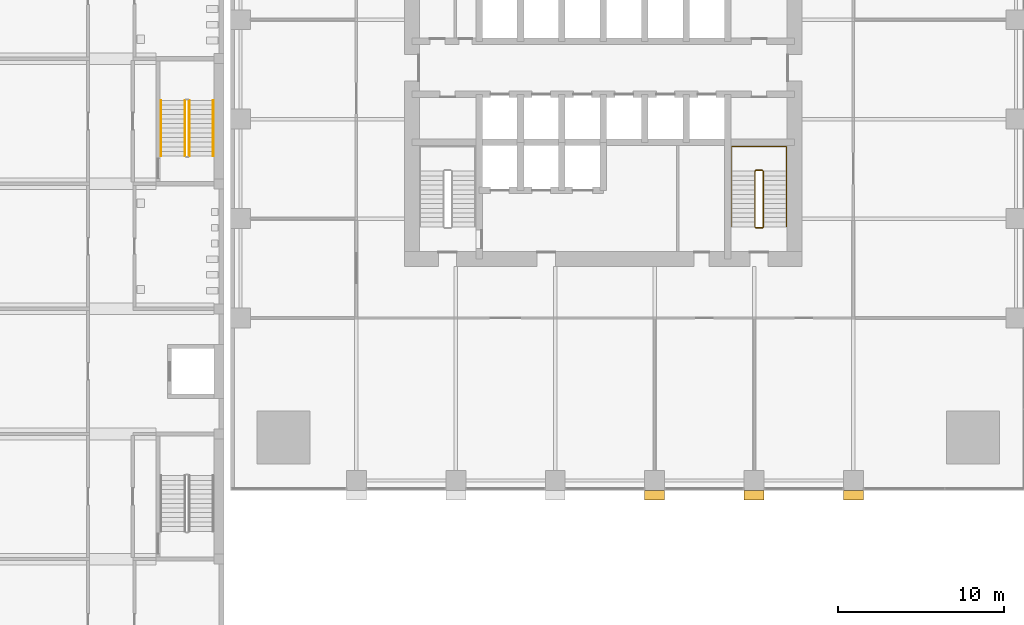
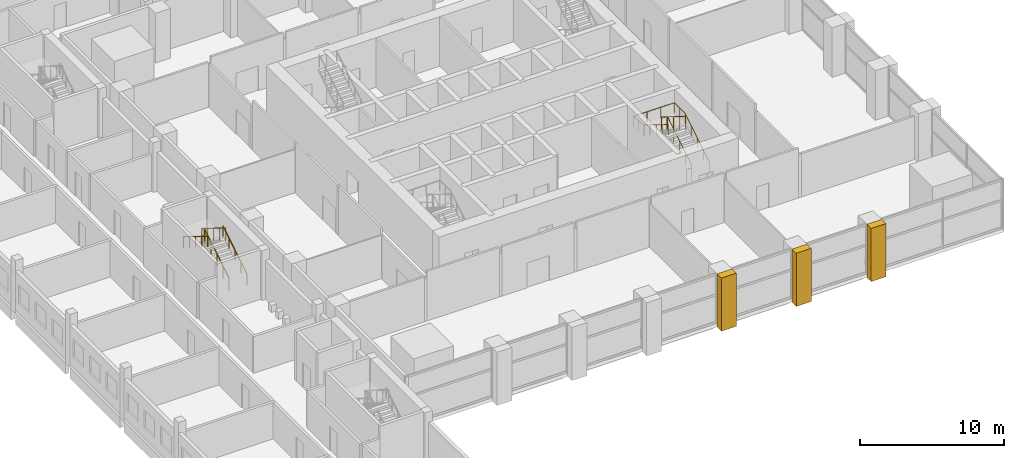
# One storey, part 21 of 25: 6 railings, 3 coverings.
"""IFC4 building model written with IfcOpenShell, lengths in metres."""

from ifc_helpers import new_model, si_unit, direction, frame, origin, origin_2d, place, context, subcontext, project, spatial, polyline, circle, outline, extrude, material, layer, layer_set, type_object, element, save


model = new_model("IFC4")

# Units and contexts
model_context = context("Model", 3, precision=1e-05, world=origin(), true_north=direction((0.0, 1.0)))
body_context = subcontext(model_context, "Body", "Model", "MODEL_VIEW")
ifc_project = project(units=[si_unit("LENGTHUNIT", "METRE"), si_unit("AREAUNIT", "SQUARE_METRE"), si_unit("VOLUMEUNIT", "CUBIC_METRE"), si_unit("PLANEANGLEUNIT", "RADIAN"), si_unit("MASSUNIT", "GRAM", prefix="KILO")], contexts=[model_context])

# Site, building, storey
site_placement = place(None, origin())
site = spatial("IfcSite", under=ifc_project, at=site_placement, CompositionType="ELEMENT")
building_placement = place(site_placement, origin())
building = spatial("IfcBuilding", under=site, at=building_placement, Name="Amberfall Residences", CompositionType="ELEMENT")
storey_placement = place(building_placement, frame((0.0, 0.0, 14.5)))
storey = spatial("IfcBuildingStorey", under=building, at=storey_placement, Name="L03", CompositionType="ELEMENT", Elevation=14.5)

# Coverings
ifc_material_1 = material(Name="Pale stone cladding on insulated backing", Category="masonry")
ifc_layer = layer(ifc_material_1, 1.199951171875)
ifc_layer_set = layer_set([ifc_layer], Name="Podium stone pier 1200 x 600")
covering_type = type_object("IfcCoveringType", Name="Podium stone pier 1200 x 600", PredefinedType="CLADDING", material=ifc_layer_set)
covering_1_placement = place(storey_placement, frame((0.0, 0.0, -0.300048828125)))
element("IfcCovering", 1, at=covering_1_placement, inside=storey, type_object=covering_type, Name="Podium pier L03 S4", PredefinedType="CLADDING", context=body_context, shape_type="SweptSolid", body=[
    extrude(outline(polyline([(77.0, 20.0), (78.199951171875, 20.0), (78.199951171875, 19.39990234375), (77.0, 19.39990234375), (77.0, 20.0)])), origin(), (0.0, 0.0, 1.0), 4.5),
])
covering_2_placement = place(storey_placement, frame((0.0, 0.0, -0.300048828125)))
element("IfcCovering", 2, at=covering_2_placement, inside=storey, type_object=covering_type, Name="Podium pier L03 S5", PredefinedType="CLADDING", context=body_context, shape_type="SweptSolid", body=[
    extrude(outline(polyline([(83.0, 20.0), (84.199951171875, 20.0), (84.199951171875, 19.39990234375), (83.0, 19.39990234375), (83.0, 20.0)])), origin(), (0.0, 0.0, 1.0), 4.5),
])
covering_3_placement = place(storey_placement, frame((0.0, 0.0, -0.300048828125)))
element("IfcCovering", 3, at=covering_3_placement, inside=storey, type_object=covering_type, Name="Podium pier L03 S6", PredefinedType="CLADDING", context=body_context, shape_type="SweptSolid", body=[
    extrude(outline(polyline([(89.0, 20.0), (90.199951171875, 20.0), (90.199951171875, 19.39990234375), (89.0, 19.39990234375), (89.0, 20.0)])), origin(), (0.0, 0.0, 1.0), 4.5),
])

# Railings
ifc_material_2 = material(Name="Stainless steel", Category="steel")
railing_type_1 = type_object("IfcRailingType", Name="School stair guard 1100", PredefinedType="GUARDRAIL", material=ifc_material_2)
railing_1_placement = place(storey_placement, frame((49.5, 40.175048828125, 0.173095703125)))
element("IfcRailing", 4, at=railing_1_placement, inside=storey, type_object=railing_type_1, Name="L03 SS2 stair guard 1", PredefinedType="GUARDRAIL", context=body_context, shape_type="SweptSolid", body=[
    extrude(circle(Radius=0.02392578125, at=origin_2d()), frame((0.0, 0.0, 1.076171875), z_axis=(0.0, 0.850606129759, 0.525803396734), x_axis=(-1.0, 0.0, 0.0)), (0.0, 0.0, 1.0), 3.949951171875),
    extrude(circle(Radius=0.02099609375, at=origin_2d()), origin(), (0.0, 0.0, 1.0), 1.052001953125),
    extrude(circle(Radius=0.02099609375, at=origin_2d()), frame((0.0, 0.83984375, 0.519287109375)), (0.0, 0.0, 1.0), 1.052001953125),
    extrude(circle(Radius=0.02099609375, at=origin_2d()), frame((0.0, 1.679931640625, 1.03857421875)), (0.0, 0.0, 1.0), 1.052001953125),
    extrude(circle(Radius=0.02099609375, at=origin_2d()), frame((0.0, 2.52001953125, 1.5576171875)), (0.0, 0.0, 1.0), 1.052001953125),
    extrude(circle(Radius=0.02099609375, at=origin_2d()), frame((0.0, 3.35986328125, 2.076904296875)), (0.0, 0.0, 1.0), 1.052001953125),
])
railing_2_placement = place(storey_placement, frame((49.25, 43.534912109375, 2.423095703125)))
element("IfcRailing", 5, at=railing_2_placement, inside=storey, type_object=railing_type_1, Name="L03 SS2 stair guard 3", PredefinedType="GUARDRAIL", context=body_context, shape_type="SweptSolid", body=[
    extrude(circle(Radius=0.02392578125, at=origin_2d()), frame((0.0, 0.0, 1.076171875), z_axis=(0.0, -0.850606129759, 0.525803396734), x_axis=(1.0, 0.0, 0.0)), (0.0, 0.0, 1.0), 3.949951171875),
    extrude(circle(Radius=0.02099609375, at=origin_2d()), origin(), (0.0, 0.0, 1.0), 1.052001953125),
    extrude(circle(Radius=0.02099609375, at=origin_2d()), frame((0.0, -0.83984375, 0.519287109375)), (0.0, 0.0, 1.0), 1.052001953125),
    extrude(circle(Radius=0.02099609375, at=origin_2d()), frame((0.0, -1.679931640625, 1.03857421875)), (0.0, 0.0, 1.0), 1.052001953125),
    extrude(circle(Radius=0.02099609375, at=origin_2d()), frame((0.0, -2.52001953125, 1.5576171875)), (0.0, 0.0, 1.0), 1.052001953125),
    extrude(circle(Radius=0.02099609375, at=origin_2d()), frame((0.0, -3.35986328125, 2.076904296875)), (0.0, 0.0, 1.0), 1.052001953125),
])
railing_type_2 = type_object("IfcRailingType", Name="School stair handrail", PredefinedType="HANDRAIL", material=ifc_material_2)
railing_3_placement = place(storey_placement, frame((50.949951171875, 40.175048828125, 0.173095703125)))
element("IfcRailing", 6, at=railing_3_placement, inside=storey, type_object=railing_type_2, Name="L03 SS2 stair handrail 1", PredefinedType="HANDRAIL", context=body_context, shape_type="SweptSolid", body=[
    extrude(circle(Radius=0.02392578125, at=origin_2d()), frame((0.0, 0.0, 0.8759765625), z_axis=(0.0, 0.850606129759, 0.525803396734), x_axis=(-1.0, 0.0, 0.0)), (0.0, 0.0, 1.0), 3.949951171875),
    extrude(circle(Radius=0.02099609375, at=origin_2d()), origin(), (0.0, 0.0, 1.0), 0.851806640625),
    extrude(circle(Radius=0.02099609375, at=origin_2d()), frame((0.0, 0.83984375, 0.519287109375)), (0.0, 0.0, 1.0), 0.851806640625),
    extrude(circle(Radius=0.02099609375, at=origin_2d()), frame((0.0, 1.679931640625, 1.03857421875)), (0.0, 0.0, 1.0), 0.851806640625),
    extrude(circle(Radius=0.02099609375, at=origin_2d()), frame((0.0, 2.52001953125, 1.5576171875)), (0.0, 0.0, 1.0), 0.851806640625),
    extrude(circle(Radius=0.02099609375, at=origin_2d()), frame((0.0, 3.35986328125, 2.076904296875)), (0.0, 0.0, 1.0), 0.851806640625),
])
railing_4_placement = place(storey_placement, frame((47.800048828125, 43.534912109375, 2.423095703125)))
element("IfcRailing", 7, at=railing_4_placement, inside=storey, type_object=railing_type_2, Name="L03 SS2 stair handrail 2", PredefinedType="HANDRAIL", context=body_context, shape_type="SweptSolid", body=[
    extrude(circle(Radius=0.02392578125, at=origin_2d()), frame((0.0, 0.0, 0.8759765625), z_axis=(0.0, -0.850606129759, 0.525803396734), x_axis=(1.0, 0.0, 0.0)), (0.0, 0.0, 1.0), 3.949951171875),
    extrude(circle(Radius=0.02099609375, at=origin_2d()), origin(), (0.0, 0.0, 1.0), 0.851806640625),
    extrude(circle(Radius=0.02099609375, at=origin_2d()), frame((0.0, -0.83984375, 0.519287109375)), (0.0, 0.0, 1.0), 0.851806640625),
    extrude(circle(Radius=0.02099609375, at=origin_2d()), frame((0.0, -1.679931640625, 1.03857421875)), (0.0, 0.0, 1.0), 0.851806640625),
    extrude(circle(Radius=0.02099609375, at=origin_2d()), frame((0.0, -2.52001953125, 1.5576171875)), (0.0, 0.0, 1.0), 0.851806640625),
    extrude(circle(Radius=0.02099609375, at=origin_2d()), frame((0.0, -3.35986328125, 2.076904296875)), (0.0, 0.0, 1.0), 0.851806640625),
])
ifc_material_3 = material(Name="Stainless steel 316", Category="steel")
railing_type_3 = type_object("IfcRailingType", Name="Stair guard 1100", PredefinedType="GUARDRAIL", material=ifc_material_3)
railing_5_placement = place(storey_placement, frame((83.699951171875, 35.85009765625, 0.0)))
element("IfcRailing", 8, at=railing_5_placement, inside=storey, type_object=railing_type_3, Name="L03 stair 2 guard", PredefinedType="GUARDRAIL", context=body_context, shape_type="SweptSolid", body=[
    extrude(circle(Radius=0.02392578125, at=origin_2d()), frame((0.0, 0.0, 1.076171875), z_axis=(1.0, 0.0, 0.0), x_axis=(0.0, 1.0, 0.0)), (0.0, 0.0, 1.0), 0.400146484375),
    extrude(circle(Radius=0.02392578125, at=origin_2d()), frame((0.400146484375, 0.0, 1.076171875), z_axis=(0.26651005591, 0.26651005591, 0.926253086471), x_axis=(-0.707106781187, 0.707106781187, 0.0)), (0.0, 0.0, 1.0), 0.186767578125),
    extrude(circle(Radius=0.02392578125, at=origin_2d()), frame((0.449951171875, 0.0498046875, 1.2490234375), z_axis=(0.0, 0.850623216509, 0.525775754039), x_axis=(-1.0, 0.0, 0.0)), (0.0, 0.0, 1.0), 3.9501953125),
    extrude(circle(Radius=0.02392578125, at=origin_2d()), frame((0.449951171875, 3.409912109375, 3.326171875), z_axis=(-0.705375805398, 0.708833529934, 0.0), x_axis=(-0.708833529934, -0.705375805398, 0.0)), (0.0, 0.0, 1.0), 0.070556640625),
    extrude(circle(Radius=0.02392578125, at=origin_2d()), frame((0.400146484375, 3.4599609375, 3.326171875), z_axis=(-1.0, 0.0, 0.0), x_axis=(0.0, -1.0, 0.0)), (0.0, 0.0, 1.0), 0.400146484375),
    extrude(circle(Radius=0.02392578125, at=origin_2d()), frame((0.0, 3.4599609375, 3.326171875), z_axis=(-0.267629722418, -0.267629722418, 0.925607186314), x_axis=(0.707106781187, -0.707106781187, 0.0)), (0.0, 0.0, 1.0), 0.18701171875),
    extrude(circle(Radius=0.02392578125, at=origin_2d()), frame((-0.050048828125, 3.409912109375, 3.4990234375), z_axis=(0.0, -0.850623216509, 0.525775754039), x_axis=(1.0, 0.0, 0.0)), (0.0, 0.0, 1.0), 3.9501953125),
    extrude(circle(Radius=0.02099609375, at=origin_2d()), origin(), (0.0, 0.0, 1.0), 1.052001953125),
    extrude(circle(Radius=0.02099609375, at=origin_2d()), frame((0.400146484375, 0.0, 0.0)), (0.0, 0.0, 1.0), 1.052001953125),
    extrude(circle(Radius=0.02099609375, at=origin_2d()), frame((0.449951171875, 0.0498046875, 0.173095703125)), (0.0, 0.0, 1.0), 1.052001953125),
    extrude(circle(Radius=0.02099609375, at=origin_2d()), frame((0.449951171875, 0.889892578125, 0.6923828125)), (0.0, 0.0, 1.0), 1.052001953125),
    extrude(circle(Radius=0.02099609375, at=origin_2d()), frame((0.449951171875, 1.72998046875, 1.21142578125)), (0.0, 0.0, 1.0), 1.052001953125),
    extrude(circle(Radius=0.02099609375, at=origin_2d()), frame((0.449951171875, 2.56982421875, 1.730712890625)), (0.0, 0.0, 1.0), 1.052001953125),
    extrude(circle(Radius=0.02099609375, at=origin_2d()), frame((0.449951171875, 3.409912109375, 2.25)), (0.0, 0.0, 1.0), 1.052001953125),
    extrude(circle(Radius=0.02099609375, at=origin_2d()), frame((0.400146484375, 3.4599609375, 2.25)), (0.0, 0.0, 1.0), 1.052001953125),
    extrude(circle(Radius=0.02099609375, at=origin_2d()), frame((0.0, 3.4599609375, 2.25)), (0.0, 0.0, 1.0), 1.052001953125),
    extrude(circle(Radius=0.02099609375, at=origin_2d()), frame((-0.050048828125, 3.409912109375, 2.423095703125)), (0.0, 0.0, 1.0), 1.052001953125),
    extrude(circle(Radius=0.02099609375, at=origin_2d()), frame((-0.050048828125, 2.56982421875, 2.9423828125)), (0.0, 0.0, 1.0), 1.052001953125),
    extrude(circle(Radius=0.02099609375, at=origin_2d()), frame((-0.050048828125, 1.72998046875, 3.46142578125)), (0.0, 0.0, 1.0), 1.052001953125),
    extrude(circle(Radius=0.02099609375, at=origin_2d()), frame((-0.050048828125, 0.889892578125, 3.980712890625)), (0.0, 0.0, 1.0), 1.052001953125),
    extrude(circle(Radius=0.02099609375, at=origin_2d()), frame((-0.050048828125, 0.0498046875, 4.5)), (0.0, 0.0, 1.0), 1.052001953125),
])
railing_type_4 = type_object("IfcRailingType", Name="Stair handrail 900", PredefinedType="HANDRAIL", material=ifc_material_3)
railing_6_placement = place(storey_placement, frame((85.550048828125, 35.89990234375, 0.173095703125)))
element("IfcRailing", 9, at=railing_6_placement, inside=storey, type_object=railing_type_4, Name="L03 stair 2 handrail", PredefinedType="HANDRAIL", context=body_context, shape_type="SweptSolid", body=[
    extrude(circle(Radius=0.02392578125, at=origin_2d()), frame((0.0, 0.0, 0.8759765625), z_axis=(0.0, 0.850623216509, 0.525775754039), x_axis=(-1.0, 0.0, 0.0)), (0.0, 0.0, 1.0), 3.9501953125),
    extrude(circle(Radius=0.02392578125, at=origin_2d()), frame((0.0, 3.360107421875, 2.95263671875), z_axis=(0.0, 1.0, 0.0), x_axis=(-1.0, 0.0, 0.0)), (0.0, 0.0, 1.0), 1.489990234375),
    extrude(circle(Radius=0.02392578125, at=origin_2d()), frame((0.0, 4.85009765625, 2.95263671875), z_axis=(-1.0, 0.0, 0.0), x_axis=(0.0, -1.0, 0.0)), (0.0, 0.0, 1.0), 3.300048828125),
    extrude(circle(Radius=0.02392578125, at=origin_2d()), frame((-3.300048828125, 4.85009765625, 2.95263671875), z_axis=(0.0, -0.993319533971, 0.115396288642), x_axis=(1.0, 0.0, 0.0)), (0.0, 0.0, 1.0), 1.5),
    extrude(circle(Radius=0.02392578125, at=origin_2d()), frame((-3.300048828125, 3.360107421875, 3.1259765625), z_axis=(0.0, -0.850623216509, 0.525775754039), x_axis=(1.0, 0.0, 0.0)), (0.0, 0.0, 1.0), 3.9501953125),
    extrude(circle(Radius=0.02099609375, at=origin_2d()), origin(), (0.0, 0.0, 1.0), 0.851806640625),
    extrude(circle(Radius=0.02099609375, at=origin_2d()), frame((0.0, 0.840087890625, 0.519287109375)), (0.0, 0.0, 1.0), 0.851806640625),
    extrude(circle(Radius=0.02099609375, at=origin_2d()), frame((0.0, 1.68017578125, 1.03857421875)), (0.0, 0.0, 1.0), 0.851806640625),
    extrude(circle(Radius=0.02099609375, at=origin_2d()), frame((0.0, 2.52001953125, 1.5576171875)), (0.0, 0.0, 1.0), 0.851806640625),
    extrude(circle(Radius=0.02099609375, at=origin_2d()), frame((0.0, 3.360107421875, 2.076904296875)), (0.0, 0.0, 1.0), 0.851806640625),
    extrude(circle(Radius=0.02099609375, at=origin_2d()), frame((0.0, 4.10498046875, 2.076904296875)), (0.0, 0.0, 1.0), 0.851806640625),
    extrude(circle(Radius=0.02099609375, at=origin_2d()), frame((0.0, 4.85009765625, 2.076904296875)), (0.0, 0.0, 1.0), 0.851806640625),
    extrude(circle(Radius=0.02099609375, at=origin_2d()), frame((-1.10009765625, 4.85009765625, 2.076904296875)), (0.0, 0.0, 1.0), 0.851806640625),
    extrude(circle(Radius=0.02099609375, at=origin_2d()), frame((-2.199951171875, 4.85009765625, 2.076904296875)), (0.0, 0.0, 1.0), 0.851806640625),
    extrude(circle(Radius=0.02099609375, at=origin_2d()), frame((-3.300048828125, 4.85009765625, 2.076904296875)), (0.0, 0.0, 1.0), 0.851806640625),
    extrude(circle(Radius=0.02099609375, at=origin_2d()), frame((-3.300048828125, 4.10498046875, 2.16357421875)), (0.0, 0.0, 1.0), 0.851806640625),
    extrude(circle(Radius=0.02099609375, at=origin_2d()), frame((-3.300048828125, 3.360107421875, 2.25)), (0.0, 0.0, 1.0), 0.851806640625),
    extrude(circle(Radius=0.02099609375, at=origin_2d()), frame((-3.300048828125, 2.52001953125, 2.769287109375)), (0.0, 0.0, 1.0), 0.851806640625),
    extrude(circle(Radius=0.02099609375, at=origin_2d()), frame((-3.300048828125, 1.68017578125, 3.28857421875)), (0.0, 0.0, 1.0), 0.851806640625),
    extrude(circle(Radius=0.02099609375, at=origin_2d()), frame((-3.300048828125, 0.840087890625, 3.8076171875)), (0.0, 0.0, 1.0), 0.851806640625),
    extrude(circle(Radius=0.02099609375, at=origin_2d()), frame((-3.300048828125, 0.0, 4.326904296875)), (0.0, 0.0, 1.0), 0.851806640625),
])

save(model, "model.ifc")
